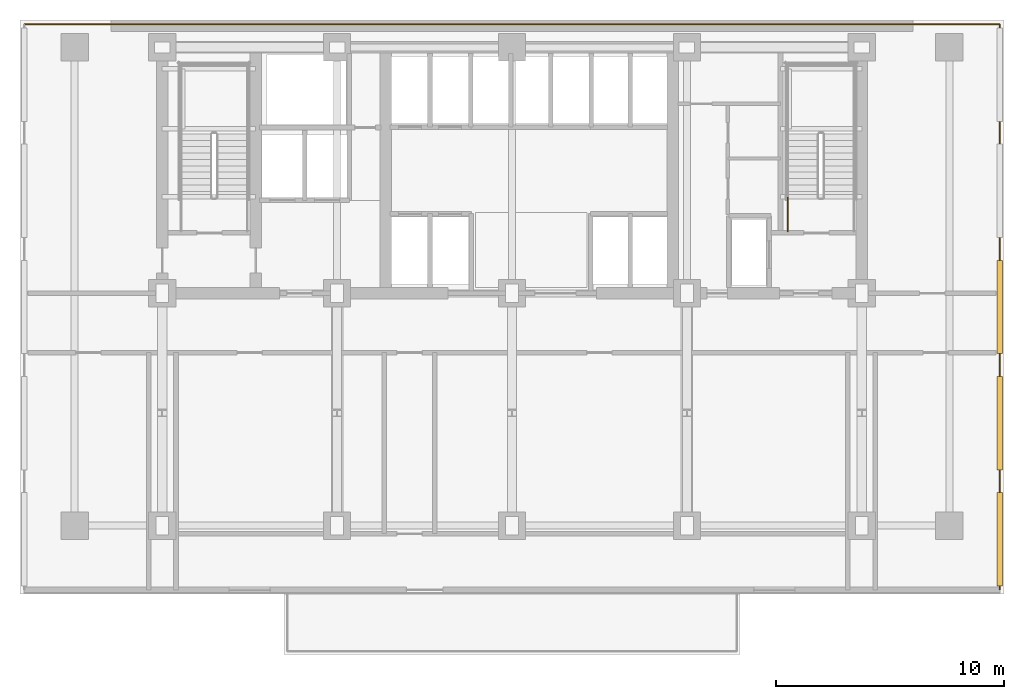
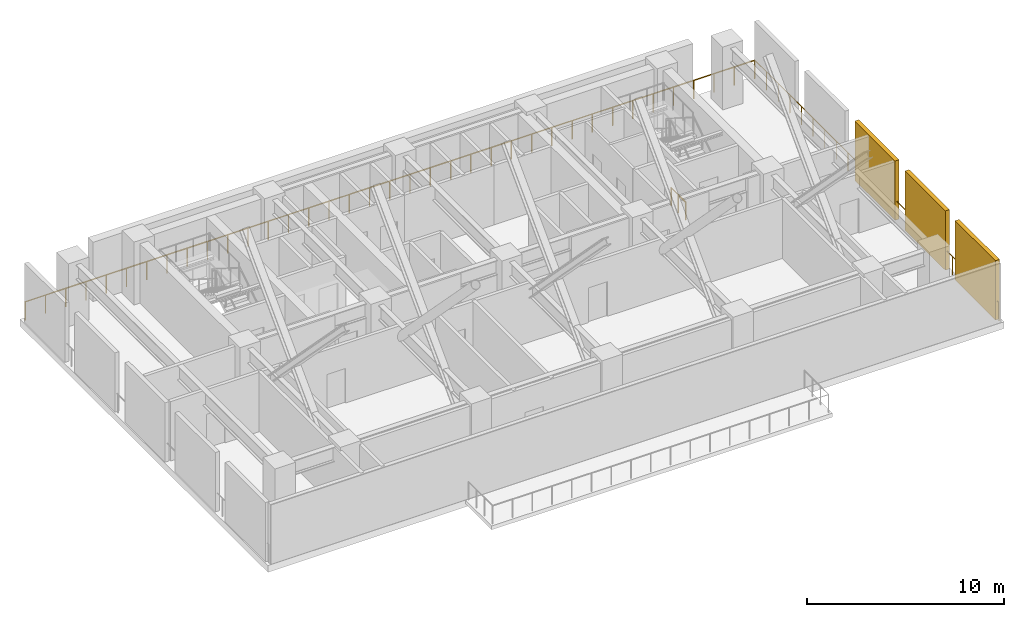
# One storey, part 7 of 8: 3 railings, 3 shading devices.
"""IFC4 building model written with IfcOpenShell, lengths in metres."""

from ifc_helpers import new_model, si_unit, direction, frame, origin, origin_2d, place, context, subcontext, project, spatial, rectangle, circle, extrude, material, layer, layer_set, type_object, element, save


model = new_model("IFC4")

# Units and contexts
model_context = context("Model", 3, precision=1e-05, world=origin(), true_north=direction((0.0, 1.0)))
body_context = subcontext(model_context, "Body", "Model", "MODEL_VIEW")
ifc_project = project(units=[si_unit("LENGTHUNIT", "METRE"), si_unit("AREAUNIT", "SQUARE_METRE"), si_unit("VOLUMEUNIT", "CUBIC_METRE"), si_unit("PLANEANGLEUNIT", "RADIAN"), si_unit("MASSUNIT", "GRAM", prefix="KILO")], contexts=[model_context])

# Site, building, storey
site_placement = place(None, origin())
site = spatial("IfcSite", under=ifc_project, at=site_placement, CompositionType="ELEMENT")
building_placement = place(site_placement, origin())
building = spatial("IfcBuilding", under=site, at=building_placement, Name="Yelkora Congress Tower", CompositionType="ELEMENT")
storey_placement = place(building_placement, frame((0.0, 0.0, 78.0)))
storey = spatial("IfcBuildingStorey", under=building, at=storey_placement, Name="L20", CompositionType="ELEMENT", Elevation=78.0)

# Railings
ifc_material_1 = material(Name="Stainless steel 316L and laminated glass infill", Category="steel")
ifc_layer_1 = layer(ifc_material_1, 0.080078125)
ifc_layer_set_1 = layer_set([ifc_layer_1], Name="Stainless steel 316L and laminated glass infill")
railing_type_1 = type_object("IfcRailingType", Name="RAIL-EXT-GUARD-1150", PredefinedType="GUARDRAIL", material=ifc_layer_set_1)
railing_1_placement = place(storey_placement, frame((59.820068359375, 22.39990234375, 0.0)))
element("IfcRailing", 1, at=railing_1_placement, inside=storey, type_object=railing_type_1, Name="L20 Wind-Floor Perimeter Guardrail E", PredefinedType="GUARDRAIL", context=body_context, shape_type="SweptSolid", body=[
    extrude(circle(Radius=0.02392578125, at=origin_2d()), frame((0.0, 0.0, 1.1259765625), z_axis=(0.0, 1.0, 0.0), x_axis=(-1.0, 0.0, 0.0)), (0.0, 0.0, 1.0), 24.800048828125),
    extrude(circle(Radius=0.02099609375, at=origin_2d()), origin(), (0.0, 0.0, 1.0), 1.101806640625),
    extrude(circle(Radius=0.02099609375, at=origin_2d()), frame((0.0, 1.180908203125, 0.0)), (0.0, 0.0, 1.0), 1.101806640625),
    extrude(circle(Radius=0.02099609375, at=origin_2d()), frame((0.0, 2.36181640625, 0.0)), (0.0, 0.0, 1.0), 1.101806640625),
    extrude(circle(Radius=0.02099609375, at=origin_2d()), frame((0.0, 3.54296875, 0.0)), (0.0, 0.0, 1.0), 1.101806640625),
    extrude(circle(Radius=0.02099609375, at=origin_2d()), frame((0.0, 4.723876953125, 0.0)), (0.0, 0.0, 1.0), 1.101806640625),
    extrude(circle(Radius=0.02099609375, at=origin_2d()), frame((0.0, 5.90478515625, 0.0)), (0.0, 0.0, 1.0), 1.101806640625),
    extrude(circle(Radius=0.02099609375, at=origin_2d()), frame((0.0, 7.085693359375, 0.0)), (0.0, 0.0, 1.0), 1.101806640625),
    extrude(circle(Radius=0.02099609375, at=origin_2d()), frame((0.0, 8.2666015625, 0.0)), (0.0, 0.0, 1.0), 1.101806640625),
    extrude(circle(Radius=0.02099609375, at=origin_2d()), frame((0.0, 9.44775390625, 0.0)), (0.0, 0.0, 1.0), 1.101806640625),
    extrude(circle(Radius=0.02099609375, at=origin_2d()), frame((0.0, 10.628662109375, 0.0)), (0.0, 0.0, 1.0), 1.101806640625),
    extrude(circle(Radius=0.02099609375, at=origin_2d()), frame((0.0, 11.8095703125, 0.0)), (0.0, 0.0, 1.0), 1.101806640625),
    extrude(circle(Radius=0.02099609375, at=origin_2d()), frame((0.0, 12.990478515625, 0.0)), (0.0, 0.0, 1.0), 1.101806640625),
    extrude(circle(Radius=0.02099609375, at=origin_2d()), frame((0.0, 14.17138671875, 0.0)), (0.0, 0.0, 1.0), 1.101806640625),
    extrude(circle(Radius=0.02099609375, at=origin_2d()), frame((0.0, 15.352294921875, 0.0)), (0.0, 0.0, 1.0), 1.101806640625),
    extrude(circle(Radius=0.02099609375, at=origin_2d()), frame((0.0, 16.533447265625, 0.0)), (0.0, 0.0, 1.0), 1.101806640625),
    extrude(circle(Radius=0.02099609375, at=origin_2d()), frame((0.0, 17.71435546875, 0.0)), (0.0, 0.0, 1.0), 1.101806640625),
    extrude(circle(Radius=0.02099609375, at=origin_2d()), frame((0.0, 18.895263671875, 0.0)), (0.0, 0.0, 1.0), 1.101806640625),
    extrude(circle(Radius=0.02099609375, at=origin_2d()), frame((0.0, 20.076171875, 0.0)), (0.0, 0.0, 1.0), 1.101806640625),
    extrude(circle(Radius=0.02099609375, at=origin_2d()), frame((0.0, 21.257080078125, 0.0)), (0.0, 0.0, 1.0), 1.101806640625),
    extrude(circle(Radius=0.02099609375, at=origin_2d()), frame((0.0, 22.438232421875, 0.0)), (0.0, 0.0, 1.0), 1.101806640625),
    extrude(circle(Radius=0.02099609375, at=origin_2d()), frame((0.0, 23.619140625, 0.0)), (0.0, 0.0, 1.0), 1.101806640625),
    extrude(circle(Radius=0.02099609375, at=origin_2d()), frame((0.0, 24.800048828125, 0.0)), (0.0, 0.0, 1.0), 1.101806640625),
])
railing_2_placement = place(storey_placement, frame((17.0, 47.219970703125, 0.0)))
element("IfcRailing", 2, at=railing_2_placement, inside=storey, type_object=railing_type_1, Name="L20 North Perimeter Guardrail", PredefinedType="GUARDRAIL", context=body_context, shape_type="SweptSolid", body=[
    extrude(circle(Radius=0.02392578125, at=origin_2d()), frame((0.0, 0.0, 1.1259765625), z_axis=(1.0, 0.0, 0.0), x_axis=(0.0, 1.0, 0.0)), (0.0, 0.0, 1.0), 42.800048828125),
    extrude(circle(Radius=0.02099609375, at=origin_2d()), origin(), (0.0, 0.0, 1.0), 1.101806640625),
    extrude(circle(Radius=0.02099609375, at=origin_2d()), frame((1.18896484375, 0.0, 0.0)), (0.0, 0.0, 1.0), 1.101806640625),
    extrude(circle(Radius=0.02099609375, at=origin_2d()), frame((2.377685546875, 0.0, 0.0)), (0.0, 0.0, 1.0), 1.101806640625),
    extrude(circle(Radius=0.02099609375, at=origin_2d()), frame((3.566650390625, 0.0, 0.0)), (0.0, 0.0, 1.0), 1.101806640625),
    extrude(circle(Radius=0.02099609375, at=origin_2d()), frame((4.755615234375, 0.0, 0.0)), (0.0, 0.0, 1.0), 1.101806640625),
    extrude(circle(Radius=0.02099609375, at=origin_2d()), frame((5.9443359375, 0.0, 0.0)), (0.0, 0.0, 1.0), 1.101806640625),
    extrude(circle(Radius=0.02099609375, at=origin_2d()), frame((7.13330078125, 0.0, 0.0)), (0.0, 0.0, 1.0), 1.101806640625),
    extrude(circle(Radius=0.02099609375, at=origin_2d()), frame((8.322265625, 0.0, 0.0)), (0.0, 0.0, 1.0), 1.101806640625),
    extrude(circle(Radius=0.02099609375, at=origin_2d()), frame((9.51123046875, 0.0, 0.0)), (0.0, 0.0, 1.0), 1.101806640625),
    extrude(circle(Radius=0.02099609375, at=origin_2d()), frame((10.699951171875, 0.0, 0.0)), (0.0, 0.0, 1.0), 1.101806640625),
    extrude(circle(Radius=0.02099609375, at=origin_2d()), frame((11.888916015625, 0.0, 0.0)), (0.0, 0.0, 1.0), 1.101806640625),
    extrude(circle(Radius=0.02099609375, at=origin_2d()), frame((13.077880859375, 0.0, 0.0)), (0.0, 0.0, 1.0), 1.101806640625),
    extrude(circle(Radius=0.02099609375, at=origin_2d()), frame((14.2666015625, 0.0, 0.0)), (0.0, 0.0, 1.0), 1.101806640625),
    extrude(circle(Radius=0.02099609375, at=origin_2d()), frame((15.45556640625, 0.0, 0.0)), (0.0, 0.0, 1.0), 1.101806640625),
    extrude(circle(Radius=0.02099609375, at=origin_2d()), frame((16.64453125, 0.0, 0.0)), (0.0, 0.0, 1.0), 1.101806640625),
    extrude(circle(Radius=0.02099609375, at=origin_2d()), frame((17.833251953125, 0.0, 0.0)), (0.0, 0.0, 1.0), 1.101806640625),
    extrude(circle(Radius=0.02099609375, at=origin_2d()), frame((19.022216796875, 0.0, 0.0)), (0.0, 0.0, 1.0), 1.101806640625),
    extrude(circle(Radius=0.02099609375, at=origin_2d()), frame((20.211181640625, 0.0, 0.0)), (0.0, 0.0, 1.0), 1.101806640625),
    extrude(circle(Radius=0.02099609375, at=origin_2d()), frame((21.39990234375, 0.0, 0.0)), (0.0, 0.0, 1.0), 1.101806640625),
    extrude(circle(Radius=0.02099609375, at=origin_2d()), frame((22.5888671875, 0.0, 0.0)), (0.0, 0.0, 1.0), 1.101806640625),
    extrude(circle(Radius=0.02099609375, at=origin_2d()), frame((23.77783203125, 0.0, 0.0)), (0.0, 0.0, 1.0), 1.101806640625),
    extrude(circle(Radius=0.02099609375, at=origin_2d()), frame((24.966796875, 0.0, 0.0)), (0.0, 0.0, 1.0), 1.101806640625),
    extrude(circle(Radius=0.02099609375, at=origin_2d()), frame((26.155517578125, 0.0, 0.0)), (0.0, 0.0, 1.0), 1.101806640625),
    extrude(circle(Radius=0.02099609375, at=origin_2d()), frame((27.344482421875, 0.0, 0.0)), (0.0, 0.0, 1.0), 1.101806640625),
    extrude(circle(Radius=0.02099609375, at=origin_2d()), frame((28.533447265625, 0.0, 0.0)), (0.0, 0.0, 1.0), 1.101806640625),
    extrude(circle(Radius=0.02099609375, at=origin_2d()), frame((29.72216796875, 0.0, 0.0)), (0.0, 0.0, 1.0), 1.101806640625),
    extrude(circle(Radius=0.02099609375, at=origin_2d()), frame((30.9111328125, 0.0, 0.0)), (0.0, 0.0, 1.0), 1.101806640625),
    extrude(circle(Radius=0.02099609375, at=origin_2d()), frame((32.10009765625, 0.0, 0.0)), (0.0, 0.0, 1.0), 1.101806640625),
    extrude(circle(Radius=0.02099609375, at=origin_2d()), frame((33.288818359375, 0.0, 0.0)), (0.0, 0.0, 1.0), 1.101806640625),
    extrude(circle(Radius=0.02099609375, at=origin_2d()), frame((34.477783203125, 0.0, 0.0)), (0.0, 0.0, 1.0), 1.101806640625),
    extrude(circle(Radius=0.02099609375, at=origin_2d()), frame((35.666748046875, 0.0, 0.0)), (0.0, 0.0, 1.0), 1.101806640625),
    extrude(circle(Radius=0.02099609375, at=origin_2d()), frame((36.855712890625, 0.0, 0.0)), (0.0, 0.0, 1.0), 1.101806640625),
    extrude(circle(Radius=0.02099609375, at=origin_2d()), frame((38.04443359375, 0.0, 0.0)), (0.0, 0.0, 1.0), 1.101806640625),
    extrude(circle(Radius=0.02099609375, at=origin_2d()), frame((39.2333984375, 0.0, 0.0)), (0.0, 0.0, 1.0), 1.101806640625),
    extrude(circle(Radius=0.02099609375, at=origin_2d()), frame((40.42236328125, 0.0, 0.0)), (0.0, 0.0, 1.0), 1.101806640625),
    extrude(circle(Radius=0.02099609375, at=origin_2d()), frame((41.611083984375, 0.0, 0.0)), (0.0, 0.0, 1.0), 1.101806640625),
    extrude(circle(Radius=0.02099609375, at=origin_2d()), frame((42.800048828125, 0.0, 0.0)), (0.0, 0.0, 1.0), 1.101806640625),
])
ifc_material_2 = material(Name="Painted galvanised steel stair well guard with vertical infill", Category="steel")
ifc_layer_2 = layer(ifc_material_2, 0.06005859375)
ifc_layer_set_2 = layer_set([ifc_layer_2], Name="Painted galvanised steel stair well guard with vertical infill")
railing_type_2 = type_object("IfcRailingType", Name="RAIL-STAIR-GUARD-1120", PredefinedType="GUARDRAIL", material=ifc_layer_set_2)
railing_3_placement = place(storey_placement, frame((50.510009765625, 38.1201171875, 0.0)))
element("IfcRailing", 3, at=railing_3_placement, inside=storey, type_object=railing_type_2, Name="ST-02 L20 Stair Well Guardrail 9", PredefinedType="GUARDRAIL", context=body_context, shape_type="SweptSolid", body=[
    extrude(circle(Radius=0.02392578125, at=origin_2d()), frame((0.0, 0.0, 1.09619140625), z_axis=(0.0, 1.0, 0.0), x_axis=(-1.0, 0.0, 0.0)), (0.0, 0.0, 1.0), 1.47998046875),
    extrude(circle(Radius=0.02099609375, at=origin_2d()), origin(), (0.0, 0.0, 1.0), 1.072021484375),
    extrude(circle(Radius=0.02099609375, at=origin_2d()), frame((0.0, 0.739990234375, 0.0)), (0.0, 0.0, 1.0), 1.072021484375),
    extrude(circle(Radius=0.02099609375, at=origin_2d()), frame((0.0, 1.47998046875, 0.0)), (0.0, 0.0, 1.0), 1.072021484375),
])

# Shading devices
ifc_material_3 = material(Name="Perforated anodised aluminium louvre", Category="aluminium")
ifc_layer_3 = layer(ifc_material_3, 3.39990234375)
ifc_layer_set_3 = layer_set([ifc_layer_3], Name="Perforated anodised aluminium louvre")
shading_device_type = type_object("IfcShadingDeviceType", Name="SHD-LOUVRE-WIND", PredefinedType="JALOUSIE", material=ifc_layer_set_3)
for number, where, z_axis, x_axis, name in (
    (4, (59.820068359375, 24.60009765625, 0.0), (0.0, 0.0, 1.0), (1.0, 0.0, 0.0), "L20 Acoustic Wind-Floor Louvre Screen E1"),
    (5, (59.820068359375, 29.699951171875, 0.0), (0.0, 0.0, 1.0), (1.0, 0.0, 0.0), "L20 Acoustic Wind-Floor Louvre Screen E2"),
    (6, (59.820068359375, 34.800048828125, 0.0), (0.0, 0.0, 1.0), (1.0, 0.0, 0.0), "L20 Acoustic Wind-Floor Louvre Screen E3"),
):
    element("IfcShadingDevice", number, at=place(storey_placement, frame(where, z_axis=z_axis, x_axis=x_axis)), inside=storey, type_object=shading_device_type, Name=name, PredefinedType="JALOUSIE", context=body_context, shape_type="SweptSolid", body=[
        extrude(rectangle(XDim=0.239990234375, YDim=4.10009765625, at=origin_2d()), origin(), (0.0, 0.0, 1.0), 3.679931640625),
    ])

save(model, "model.ifc")
